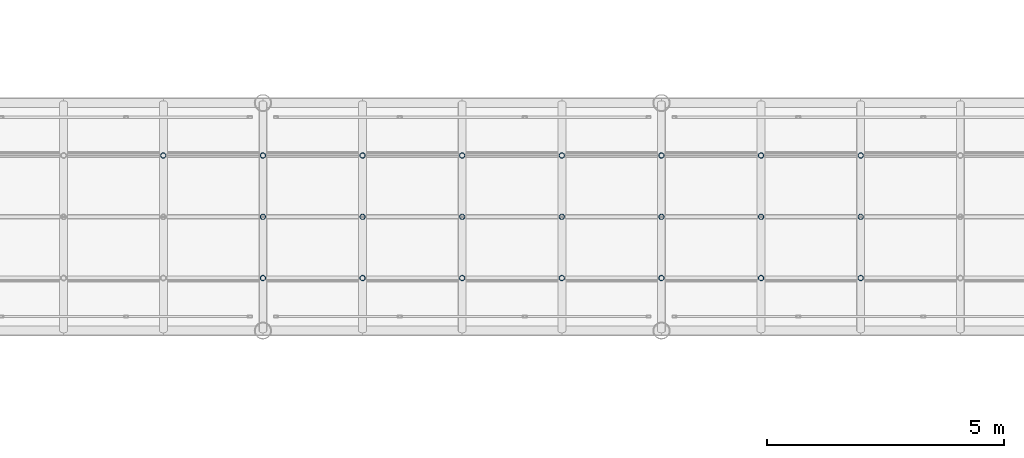
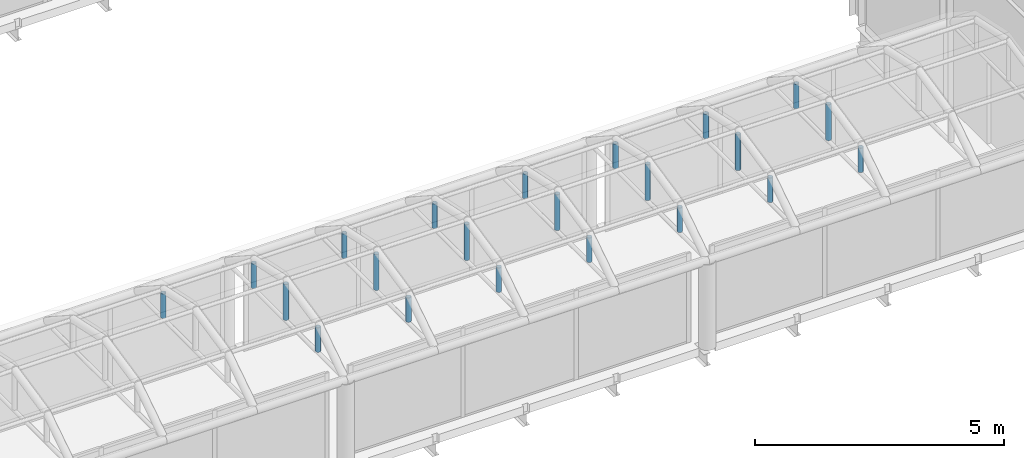
# One storey, part 134 of 167: 22 members.
"""IFC4 building model written with IfcOpenShell, lengths in metres."""

from ifc_helpers import new_model, si_unit, direction, frame, origin, origin_2d, place, context, subcontext, project, spatial, hollow_circle, extrude, material, material_profile, profile_set, type_object, element, save


model = new_model("IFC4")

# Units and contexts
model_context = context("Model", 3, precision=1e-05, world=origin(), true_north=direction((0.0, 1.0)))
body_context = subcontext(model_context, "Body", "Model", "MODEL_VIEW")
ifc_project = project(units=[si_unit("LENGTHUNIT", "METRE"), si_unit("AREAUNIT", "SQUARE_METRE"), si_unit("VOLUMEUNIT", "CUBIC_METRE"), si_unit("PLANEANGLEUNIT", "RADIAN"), si_unit("MASSUNIT", "GRAM", prefix="KILO")], contexts=[model_context])

# Site, building, storey
site_placement = place(None, origin())
site = spatial("IfcSite", under=ifc_project, at=site_placement, CompositionType="ELEMENT")
building_placement = place(site_placement, origin())
building = spatial("IfcBuilding", under=site, at=building_placement, Name="Catenary Quay Ferry Terminal", CompositionType="ELEMENT")
storey_placement = place(building_placement, frame((0.0, 0.0, 6.0)))
storey = spatial("IfcBuildingStorey", under=building, at=storey_placement, Name="L01", CompositionType="ELEMENT", Elevation=6.0)

# Members
ifc_material = material(Name="Steel S355", Category="steel")
ifc_material_profile = material_profile(ifc_material, hollow_circle(Radius=0.05712890625, WallThickness=0.00634765625, at=origin_2d()), Name="CHS 114.3x6.3")
ifc_profile_set = profile_set([ifc_material_profile], Name="Steel S355")
member_type = type_object("IfcMemberType", Name="HG1 CHS 114.3x6.3", PredefinedType="POST", material=ifc_profile_set)
for number, where, z_axis, x_axis, name in (
    (1, (107.10009765625, 76.89208984375, 2.14208984375), (0.0, 0.0, 1.0), (1.0, 0.0, 0.0), "Hanger RB1-08-03"),
    (2, (109.199951171875, 74.30810546875, 2.14208984375), (0.0, 0.0, 1.0), (1.0, 0.0, 0.0), "Hanger RB1-09-01"),
):
    element("IfcMember", number, at=place(storey_placement, frame(where, z_axis=z_axis, x_axis=x_axis)), inside=storey, type_object=member_type, Name=name, PredefinedType="POST", context=body_context, shape_type="SweptSolid", body=[
        extrude(hollow_circle(Radius=0.05712890625, WallThickness=0.00634765625, at=origin_2d()), origin(), (0.0, 0.0, 1.0), 0.598876953125),
    ])
member_1_placement = place(storey_placement, frame((109.199951171875, 75.60009765625, 2.14208984375), z_axis=(0.0, 0.0, 1.0), x_axis=(1.0, 0.0, 0.0)))
element("IfcMember", 3, at=member_1_placement, inside=storey, type_object=member_type, Name="Hanger RB1-09-02", PredefinedType="POST", context=body_context, shape_type="SweptSolid", body=[
    extrude(hollow_circle(Radius=0.05712890625, WallThickness=0.00634765625, at=origin_2d()), origin(), (0.0, 0.0, 1.0), 0.8779296875),
])
for number, where, z_axis, x_axis, name in (
    (4, (109.199951171875, 76.89208984375, 2.14208984375), (0.0, 0.0, 1.0), (1.0, 0.0, 0.0), "Hanger RB1-09-03"),
    (5, (111.300048828125, 74.30810546875, 2.14208984375), (0.0, 0.0, 1.0), (1.0, 0.0, 0.0), "Hanger RB1-10-01"),
):
    element("IfcMember", number, at=place(storey_placement, frame(where, z_axis=z_axis, x_axis=x_axis)), inside=storey, type_object=member_type, Name=name, PredefinedType="POST", context=body_context, shape_type="SweptSolid", body=[
        extrude(hollow_circle(Radius=0.05712890625, WallThickness=0.00634765625, at=origin_2d()), origin(), (0.0, 0.0, 1.0), 0.598876953125),
    ])
member_2_placement = place(storey_placement, frame((111.300048828125, 75.60009765625, 2.14208984375), z_axis=(0.0, 0.0, 1.0), x_axis=(1.0, 0.0, 0.0)))
element("IfcMember", 6, at=member_2_placement, inside=storey, type_object=member_type, Name="Hanger RB1-10-02", PredefinedType="POST", context=body_context, shape_type="SweptSolid", body=[
    extrude(hollow_circle(Radius=0.05712890625, WallThickness=0.00634765625, at=origin_2d()), origin(), (0.0, 0.0, 1.0), 0.8779296875),
])
for number, where, z_axis, x_axis, name in (
    (7, (111.300048828125, 76.89208984375, 2.14208984375), (0.0, 0.0, 1.0), (1.0, 0.0, 0.0), "Hanger RB1-10-03"),
    (8, (113.39990234375, 74.30810546875, 2.14208984375), (0.0, 0.0, 1.0), (1.0, 0.0, 0.0), "Hanger RB1-11-01"),
):
    element("IfcMember", number, at=place(storey_placement, frame(where, z_axis=z_axis, x_axis=x_axis)), inside=storey, type_object=member_type, Name=name, PredefinedType="POST", context=body_context, shape_type="SweptSolid", body=[
        extrude(hollow_circle(Radius=0.05712890625, WallThickness=0.00634765625, at=origin_2d()), origin(), (0.0, 0.0, 1.0), 0.598876953125),
    ])
member_3_placement = place(storey_placement, frame((113.39990234375, 75.60009765625, 2.14208984375), z_axis=(0.0, 0.0, 1.0), x_axis=(1.0, 0.0, 0.0)))
element("IfcMember", 9, at=member_3_placement, inside=storey, type_object=member_type, Name="Hanger RB1-11-02", PredefinedType="POST", context=body_context, shape_type="SweptSolid", body=[
    extrude(hollow_circle(Radius=0.05712890625, WallThickness=0.00634765625, at=origin_2d()), origin(), (0.0, 0.0, 1.0), 0.8779296875),
])
for number, where, z_axis, x_axis, name in (
    (10, (113.39990234375, 76.89208984375, 2.14208984375), (0.0, 0.0, 1.0), (1.0, 0.0, 0.0), "Hanger RB1-11-03"),
    (11, (115.5, 74.30810546875, 2.14208984375), (0.0, 0.0, 1.0), (1.0, 0.0, 0.0), "Hanger RB1-12-01"),
):
    element("IfcMember", number, at=place(storey_placement, frame(where, z_axis=z_axis, x_axis=x_axis)), inside=storey, type_object=member_type, Name=name, PredefinedType="POST", context=body_context, shape_type="SweptSolid", body=[
        extrude(hollow_circle(Radius=0.05712890625, WallThickness=0.00634765625, at=origin_2d()), origin(), (0.0, 0.0, 1.0), 0.598876953125),
    ])
member_4_placement = place(storey_placement, frame((115.5, 75.60009765625, 2.14208984375), z_axis=(0.0, 0.0, 1.0), x_axis=(1.0, 0.0, 0.0)))
element("IfcMember", 12, at=member_4_placement, inside=storey, type_object=member_type, Name="Hanger RB1-12-02", PredefinedType="POST", context=body_context, shape_type="SweptSolid", body=[
    extrude(hollow_circle(Radius=0.05712890625, WallThickness=0.00634765625, at=origin_2d()), origin(), (0.0, 0.0, 1.0), 0.8779296875),
])
for number, where, z_axis, x_axis, name in (
    (13, (115.5, 76.89208984375, 2.14208984375), (0.0, 0.0, 1.0), (1.0, 0.0, 0.0), "Hanger RB1-12-03"),
    (14, (117.60009765625, 74.30810546875, 2.14208984375), (0.0, 0.0, 1.0), (1.0, 0.0, 0.0), "Hanger RB1-13-01"),
):
    element("IfcMember", number, at=place(storey_placement, frame(where, z_axis=z_axis, x_axis=x_axis)), inside=storey, type_object=member_type, Name=name, PredefinedType="POST", context=body_context, shape_type="SweptSolid", body=[
        extrude(hollow_circle(Radius=0.05712890625, WallThickness=0.00634765625, at=origin_2d()), origin(), (0.0, 0.0, 1.0), 0.598876953125),
    ])
member_5_placement = place(storey_placement, frame((117.60009765625, 75.60009765625, 2.14208984375), z_axis=(0.0, 0.0, 1.0), x_axis=(1.0, 0.0, 0.0)))
element("IfcMember", 15, at=member_5_placement, inside=storey, type_object=member_type, Name="Hanger RB1-13-02", PredefinedType="POST", context=body_context, shape_type="SweptSolid", body=[
    extrude(hollow_circle(Radius=0.05712890625, WallThickness=0.00634765625, at=origin_2d()), origin(), (0.0, 0.0, 1.0), 0.8779296875),
])
for number, where, z_axis, x_axis, name in (
    (16, (117.60009765625, 76.89208984375, 2.14208984375), (0.0, 0.0, 1.0), (1.0, 0.0, 0.0), "Hanger RB1-13-03"),
    (17, (119.699951171875, 74.30810546875, 2.14208984375), (0.0, 0.0, 1.0), (1.0, 0.0, 0.0), "Hanger RB1-14-01"),
):
    element("IfcMember", number, at=place(storey_placement, frame(where, z_axis=z_axis, x_axis=x_axis)), inside=storey, type_object=member_type, Name=name, PredefinedType="POST", context=body_context, shape_type="SweptSolid", body=[
        extrude(hollow_circle(Radius=0.05712890625, WallThickness=0.00634765625, at=origin_2d()), origin(), (0.0, 0.0, 1.0), 0.598876953125),
    ])
member_6_placement = place(storey_placement, frame((119.699951171875, 75.60009765625, 2.14208984375), z_axis=(0.0, 0.0, 1.0), x_axis=(1.0, 0.0, 0.0)))
element("IfcMember", 18, at=member_6_placement, inside=storey, type_object=member_type, Name="Hanger RB1-14-02", PredefinedType="POST", context=body_context, shape_type="SweptSolid", body=[
    extrude(hollow_circle(Radius=0.05712890625, WallThickness=0.00634765625, at=origin_2d()), origin(), (0.0, 0.0, 1.0), 0.8779296875),
])
for number, where, z_axis, x_axis, name in (
    (19, (119.699951171875, 76.89208984375, 2.14208984375), (0.0, 0.0, 1.0), (1.0, 0.0, 0.0), "Hanger RB1-14-03"),
    (20, (121.800048828125, 74.30810546875, 2.14208984375), (0.0, 0.0, 1.0), (1.0, 0.0, 0.0), "Hanger RB1-15-01"),
):
    element("IfcMember", number, at=place(storey_placement, frame(where, z_axis=z_axis, x_axis=x_axis)), inside=storey, type_object=member_type, Name=name, PredefinedType="POST", context=body_context, shape_type="SweptSolid", body=[
        extrude(hollow_circle(Radius=0.05712890625, WallThickness=0.00634765625, at=origin_2d()), origin(), (0.0, 0.0, 1.0), 0.598876953125),
    ])
member_7_placement = place(storey_placement, frame((121.800048828125, 75.60009765625, 2.14208984375), z_axis=(0.0, 0.0, 1.0), x_axis=(1.0, 0.0, 0.0)))
element("IfcMember", 21, at=member_7_placement, inside=storey, type_object=member_type, Name="Hanger RB1-15-02", PredefinedType="POST", context=body_context, shape_type="SweptSolid", body=[
    extrude(hollow_circle(Radius=0.05712890625, WallThickness=0.00634765625, at=origin_2d()), origin(), (0.0, 0.0, 1.0), 0.8779296875),
])
member_8_placement = place(storey_placement, frame((121.800048828125, 76.89208984375, 2.14208984375), z_axis=(0.0, 0.0, 1.0), x_axis=(1.0, 0.0, 0.0)))
element("IfcMember", 22, at=member_8_placement, inside=storey, type_object=member_type, Name="Hanger RB1-15-03", PredefinedType="POST", context=body_context, shape_type="SweptSolid", body=[
    extrude(hollow_circle(Radius=0.05712890625, WallThickness=0.00634765625, at=origin_2d()), origin(), (0.0, 0.0, 1.0), 0.598876953125),
])

save(model, "model.ifc")
